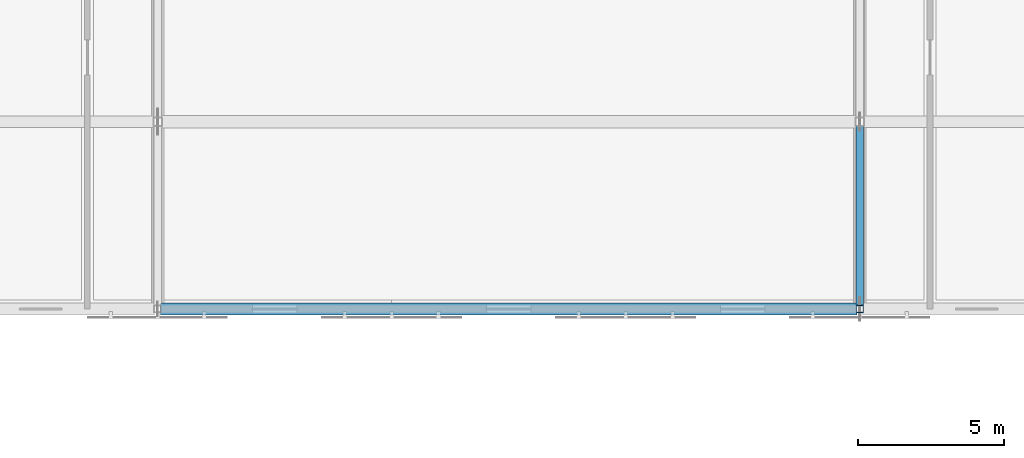
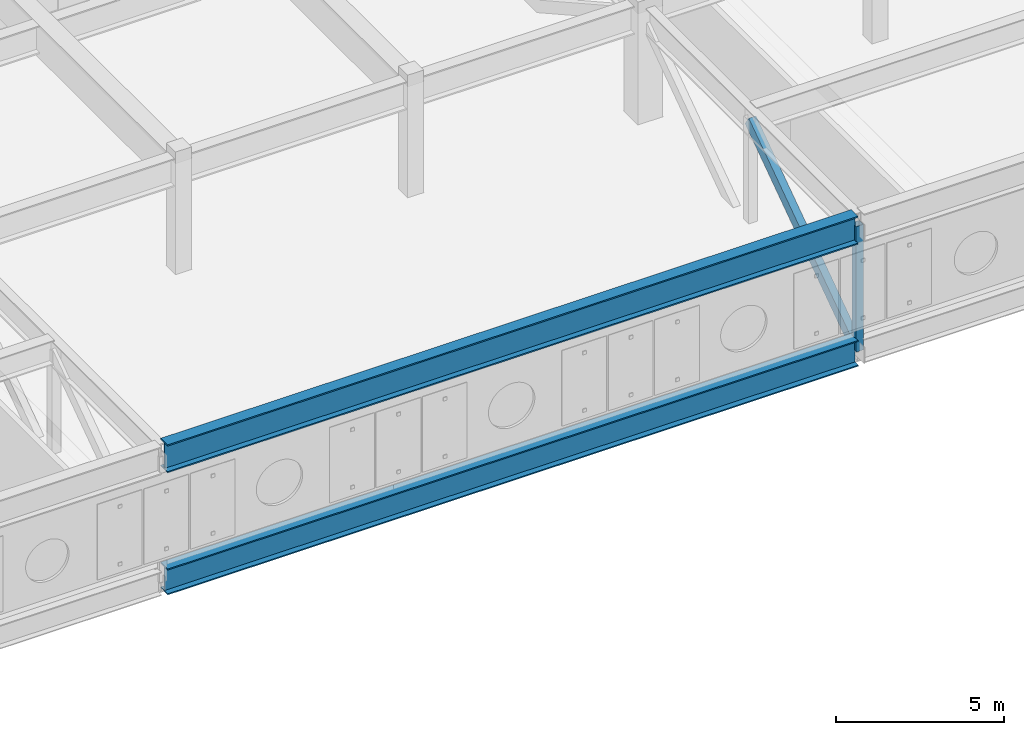
# One storey, part 11 of 79: 2 beams, 2 members.
"""IFC4 building model written with IfcOpenShell, lengths in metres."""

import ifcopenshell
import ifcopenshell.guid

model = None  # the IFC model being written
_history = None  # IfcOwnerHistory: only IFC2X3 demands one
_inside = {}  # id of a spatial element -> (the spatial element, [elements in it])
_under = {}  # id of a project, library or spatial element -> (it, [spatial elements below it])
_declared = {}  # id of a project -> (the project, [libraries it declares])
_typed = {}  # id of a type object -> (the type object, [elements of that type])
_made_of = {}  # id of a material, layer set ... -> (it, [elements and type objects made of it])


def new_model(schema):
    """Start an empty IFC model of exactly this schema.

    Asked for "IFC4X3", IfcOpenShell would pick the latest addendum, in which some entities
    have other attributes; the version numbers below select the first issue.
    IFC2X3 requires an IfcOwnerHistory on every rooted entity: one is made here for all.
    """
    global model, _history
    if schema == "IFC4X3":
        model = ifcopenshell.file(schema_version=(4, 3, 0, 0))
    else:
        model = ifcopenshell.file(schema=schema)
    _inside.clear()
    _under.clear()
    _declared.clear()
    _typed.clear()
    _made_of.clear()
    _history = None
    if model.schema == "IFC2X3":
        org = make("IfcOrganization", Name="unknown")
        user = make(
            "IfcPersonAndOrganization",
            ThePerson=make("IfcPerson", FamilyName="unknown"),
            TheOrganization=org,
        )
        app = make(
            "IfcApplication",
            ApplicationDeveloper=org,
            Version="unknown",
            ApplicationFullName="unknown",
            ApplicationIdentifier="unknown",
        )
        _history = make(
            "IfcOwnerHistory",
            OwningUser=user,
            OwningApplication=app,
            ChangeAction="ADDED",
            CreationDate=0,
        )
    return model


def make(cls, **values):
    """One entity of the class cls with the attributes given. An attribute that is None is left unset."""
    return model.create_entity(
        cls, **{name: value for name, value in values.items() if value is not None}
    )


def rooted(cls, **values):
    """An entity with a GlobalId (a new one), such as an element, a storey or a relation."""
    return make(cls, GlobalId=ifcopenshell.guid.new(), OwnerHistory=_history, **values)


def si_unit(unit_type, name, prefix=None):
    """IfcSIUnit, for example si_unit("LENGTHUNIT", "METRE", prefix="MILLI")."""
    return make("IfcSIUnit", UnitType=unit_type, Prefix=prefix, Name=name)


def assignment(units):
    """IfcUnitAssignment: the units of a project."""
    return None if units is None else make("IfcUnitAssignment", Units=units)


def point(xyz):
    """IfcCartesianPoint."""
    return None if xyz is None else make("IfcCartesianPoint", Coordinates=xyz)


def direction(xyz):
    """IfcDirection."""
    return None if xyz is None else make("IfcDirection", DirectionRatios=xyz)


def frame(location, z_axis=None, x_axis=None):
    """IfcAxis2Placement3D, a coordinate frame: its origin and axes. An axis left out is left unset."""
    return make(
        "IfcAxis2Placement3D",
        Location=point(location),
        Axis=direction(z_axis),
        RefDirection=direction(x_axis),
    )


def frame_2d(location, x_axis=None):
    """IfcAxis2Placement2D, a coordinate frame in the plane: its origin and x axis."""
    return make(
        "IfcAxis2Placement2D", Location=point(location), RefDirection=direction(x_axis)
    )


def origin():
    """The frame at (0, 0, 0) with its axes left unset."""
    return frame((0.0, 0.0, 0.0))


def origin_2d():
    """The frame at (0, 0) in the plane with its x axis left unset."""
    return frame_2d((0.0, 0.0))


def place(relative_to, where):
    """IfcLocalPlacement: puts the frame where relative to a parent placement (None: the world)."""
    return make(
        "IfcLocalPlacement", PlacementRelTo=relative_to, RelativePlacement=where
    )


def context(
    kind, dimensions, precision=None, world=None, true_north=None, identifier=None
):
    """IfcGeometricRepresentationContext, for example the 3D "Model" context."""
    return make(
        "IfcGeometricRepresentationContext",
        ContextIdentifier=identifier,
        ContextType=kind,
        CoordinateSpaceDimension=dimensions,
        Precision=precision,
        WorldCoordinateSystem=world,
        TrueNorth=true_north,
    )


def subcontext(parent, identifier, kind, view, scale=None):
    """IfcGeometricRepresentationSubContext, for example "Body" below "Model"."""
    return make(
        "IfcGeometricRepresentationSubContext",
        ContextIdentifier=identifier,
        ContextType=kind,
        ParentContext=parent,
        TargetScale=scale,
        TargetView=view,
    )


def project(units=None, contexts=None):
    """IfcProject with its units and contexts."""
    return rooted(
        "IfcProject",
        Name="project",
        RepresentationContexts=contexts,
        UnitsInContext=assignment(units),
    )


def spatial(cls, under=None, at=None, **own):
    """A site, building, storey or space (cls), placed at a placement, below another one or the project."""
    s = rooted(cls, ObjectPlacement=at, **own)
    if under is not None:
        _under.setdefault(under.id(), (under, []))[1].append(s)
    return s


def profile(cls, at=None, kind="AREA", **sizes):
    """A parametric profile (cls). Its sizes go by their IFC names, for example OverallWidth=200.0."""
    return make(cls, ProfileType=kind, Position=at, **sizes)


def hollow_rectangle(**sizes):
    """IfcRectangleHollowProfileDef."""
    return profile("IfcRectangleHollowProfileDef", **sizes)


def i_section(**sizes):
    """IfcIShapeProfileDef."""
    return profile("IfcIShapeProfileDef", **sizes)


def extrude(swept, where, along, depth):
    """IfcExtrudedAreaSolid: the profile swept, set in the frame where, extruded along a direction by depth."""
    return make(
        "IfcExtrudedAreaSolid",
        SweptArea=swept,
        Position=where,
        ExtrudedDirection=direction(along),
        Depth=depth,
    )


def shape(context_of_items, identifier, shape_type, items):
    """IfcShapeRepresentation: the items that make up one representation, for example the "Body"."""
    return make(
        "IfcShapeRepresentation",
        ContextOfItems=context_of_items,
        RepresentationIdentifier=identifier,
        RepresentationType=shape_type,
        Items=items,
    )


def material(Name=None, Category=None):
    """IfcMaterial."""
    return make("IfcMaterial", Name=Name, Category=Category)


def material_profile(
    of_material, cross_section, Name=None, Category=None, Priority=None
):
    """IfcMaterialProfile: a cross section and its material."""
    return make(
        "IfcMaterialProfile",
        Name=Name,
        Material=of_material,
        Profile=cross_section,
        Priority=Priority,
        Category=Category,
    )


def profile_set(profiles, Name=None, composite=None):
    """IfcMaterialProfileSet."""
    return make(
        "IfcMaterialProfileSet",
        Name=Name,
        MaterialProfiles=profiles,
        CompositeProfile=composite,
    )


def made_of(thing, what):
    """Note that an element or type object is made of a material, layer set ...; save() writes the relation."""
    if what is not None:
        _made_of.setdefault(what.id(), (what, []))[1].append(thing)
    return thing


def type_object(cls, material=None, **own):
    """A type object (cls), such as IfcWallType, which elements share."""
    return made_of(rooted(cls, **own), material)


def element(
    cls,
    number,
    at=None,
    inside=None,
    cuts=None,
    type_object=None,
    material=None,
    context=None,
    identifier="Body",
    shape_type=None,
    held_by="IfcProductDefinitionShape",
    body=None,
    shapes=None,
    **own,
):
    """One element of the class cls, such as IfcWall. Its Tag is "e" and its number.

    at: its placement. inside: the storey or other place that contains it. cuts: it is an
    opening in that element (IfcRelVoidsElement). A single representation is given by context,
    identifier, shape_type and body (its items); several are given by shapes. held_by: the class
    of the entity that holds the representations. save() writes the other relations.
    """
    e = rooted(cls, Tag="e%d" % number, ObjectPlacement=at, **own)
    if body is not None:
        shapes = [shape(context, identifier, shape_type, body)]
    if shapes is not None:
        e.Representation = make(held_by, Representations=shapes)
    if inside is not None:
        _inside.setdefault(inside.id(), (inside, []))[1].append(e)
    if cuts is not None:
        rooted(
            "IfcRelVoidsElement", RelatingBuildingElement=cuts, RelatedOpeningElement=e
        )
    if type_object is not None:
        _typed.setdefault(type_object.id(), (type_object, []))[1].append(e)
    return made_of(e, material)


def aggregate(whole, parts):
    """IfcRelAggregates: a whole, such as a stair, and the parts it consists of."""
    return rooted("IfcRelAggregates", RelatingObject=whole, RelatedObjects=parts)


def save(model, path):
    """Write the relations noted so far, then the file.

    IfcRelAggregates (storeys below a building ...), IfcRelContainedInSpatialStructure (elements
    in a storey), IfcRelDefinesByType, IfcRelAssociatesMaterial and IfcRelDeclares: one each for
    every whole, place, type object, material and project.
    """
    for whole, parts in _under.values():
        aggregate(whole, parts)
    for where, things in _inside.values():
        rooted(
            "IfcRelContainedInSpatialStructure",
            RelatedElements=things,
            RelatingStructure=where,
        )
    for kind, things in _typed.values():
        rooted("IfcRelDefinesByType", RelatedObjects=things, RelatingType=kind)
    for what, things in _made_of.values():
        rooted("IfcRelAssociatesMaterial", RelatedObjects=things, RelatingMaterial=what)
    for by, libraries in _declared.values():
        rooted("IfcRelDeclares", RelatingContext=by, RelatedDefinitions=libraries)
    model.write(path)


model = new_model("IFC4")

# Units and contexts
model_context = context("Model", 3, precision=1e-05, world=origin(), true_north=direction((0.0, 1.0)))
body_context = subcontext(model_context, "Body", "Model", "MODEL_VIEW")
ifc_project = project(units=[si_unit("LENGTHUNIT", "METRE"), si_unit("AREAUNIT", "SQUARE_METRE"), si_unit("VOLUMEUNIT", "CUBIC_METRE"), si_unit("PLANEANGLEUNIT", "RADIAN"), si_unit("MASSUNIT", "GRAM", prefix="KILO")], contexts=[model_context])

# Site, building, storey
site_placement = place(None, origin())
site = spatial("IfcSite", under=ifc_project, at=site_placement, CompositionType="ELEMENT")
building_placement = place(site_placement, origin())
building = spatial("IfcBuilding", under=site, at=building_placement, Name="Tlaxcora Railside Police Headquarters", CompositionType="ELEMENT")
storey_placement = place(building_placement, frame((0.0, 0.0, 9.0)))
storey = spatial("IfcBuildingStorey", under=building, at=storey_placement, Name="L02", CompositionType="ELEMENT", Elevation=9.0)

# Member
ifc_material = material(Name="Steel ASTM A992 Grade 50", Category="steel")
ifc_material_profile_1 = material_profile(ifc_material, hollow_rectangle(XDim=0.25, YDim=0.39990234375, WallThickness=0.011962890625, at=origin_2d()), Name="HSS400X250X12")
ifc_profile_set_1 = profile_set([ifc_material_profile_1], Name="Steel ASTM A992 Grade 50")
member_type_1 = type_object("IfcMemberType", Name="Diagonal Brace Member MB-40", PredefinedType="BRACE", material=ifc_profile_set_1)
member_1_placement = place(storey_placement, frame((86.0, 29.60009765625, 3.699951171875), z_axis=(0.0, -0.819841190505, -0.572590972991), x_axis=(1.0, 0.0, 0.0)))
element("IfcMember", 1, at=member_1_placement, inside=storey, type_object=member_type_1, Name="Truss TR-3 L02 web diagonal 5", PredefinedType="BRACE", context=body_context, shape_type="SweptSolid", body=[
    extrude(hollow_rectangle(XDim=0.25, YDim=0.39990234375, WallThickness=0.011962890625, at=origin_2d()), origin(), (0.0, 0.0, 1.0), 7.806640625),
])

# Beams
ifc_material_profile_2 = material_profile(ifc_material, i_section(OverallWidth=0.404052734375, OverallDepth=1.02001953125, WebThickness=0.025390625, FlangeThickness=0.0458984375, at=origin_2d()), Name="W40X324")
ifc_profile_set_2 = profile_set([ifc_material_profile_2], Name="Steel ASTM A992 Grade 50")
beam_type_1 = type_object("IfcBeamType", Name="Primary Frame Girder BM-17", PredefinedType="BEAM", material=ifc_profile_set_2)
beam_1_placement = place(storey_placement, frame((62.10009765625, 23.199951171875, 3.7099609375), z_axis=(1.0, 0.0, 0.0), x_axis=(0.0, 1.0, 0.0)))
element("IfcBeam", 2, at=beam_1_placement, inside=storey, type_object=beam_type_1, Name="V2 L03 transverse girder Y=23.2", PredefinedType="BEAM", context=body_context, shape_type="SweptSolid", body=[
    extrude(i_section(OverallWidth=0.404052734375, OverallDepth=1.02001953125, WebThickness=0.025390625, FlangeThickness=0.0458984375, at=origin_2d()), origin(), (0.0, 0.0, 1.0), 23.7998046875),
])
ifc_material_profile_3 = material_profile(ifc_material, i_section(OverallWidth=0.423095703125, OverallDepth=0.947998046875, WebThickness=0.02392578125, FlangeThickness=0.042724609375, at=origin_2d()), Name="W36X302")
ifc_profile_set_3 = profile_set([ifc_material_profile_3], Name="Steel ASTM A992 Grade 50")
beam_type_2 = type_object("IfcBeamType", Name="Primary Frame Girder BM-30", PredefinedType="BEAM", material=ifc_profile_set_3)
beam_2_placement = place(storey_placement, frame((62.10009765625, 23.199951171875, -0.77001953125), z_axis=(1.0, 0.0, 0.0), x_axis=(0.0, 1.0, 0.0)))
element("IfcBeam", 3, at=beam_2_placement, inside=storey, type_object=beam_type_2, Name="V2 L02 cantilever transverse girder Y=23.2", PredefinedType="BEAM", context=body_context, shape_type="SweptSolid", body=[
    extrude(i_section(OverallWidth=0.423095703125, OverallDepth=0.947998046875, WebThickness=0.02392578125, FlangeThickness=0.042724609375, at=origin_2d()), origin(), (0.0, 0.0, 1.0), 23.7998046875),
])

# Member
ifc_material_profile_4 = material_profile(ifc_material, hollow_rectangle(XDim=0.25, YDim=0.25, WallThickness=0.011962890625, at=origin_2d()), Name="HSS250X250X12")
ifc_profile_set_4 = profile_set([ifc_material_profile_4], Name="Steel ASTM A992 Grade 50")
member_type_2 = type_object("IfcMemberType", Name="Truss Vertical Post MB-22", PredefinedType="POST", material=ifc_profile_set_4)
member_2_placement = place(storey_placement, frame((86.0, 23.199951171875, -0.77001953125), z_axis=(0.0, 0.0, 1.0), x_axis=(1.0, 0.0, 0.0)))
element("IfcMember", 4, at=member_2_placement, inside=storey, type_object=member_type_2, Name="Truss TR-3 L02 post Y=23.2", PredefinedType="POST", context=body_context, shape_type="SweptSolid", body=[
    extrude(hollow_rectangle(XDim=0.25, YDim=0.25, WallThickness=0.011962890625, at=origin_2d()), origin(), (0.0, 0.0, 1.0), 4.570068359375),
])

save(model, "model.ifc")
